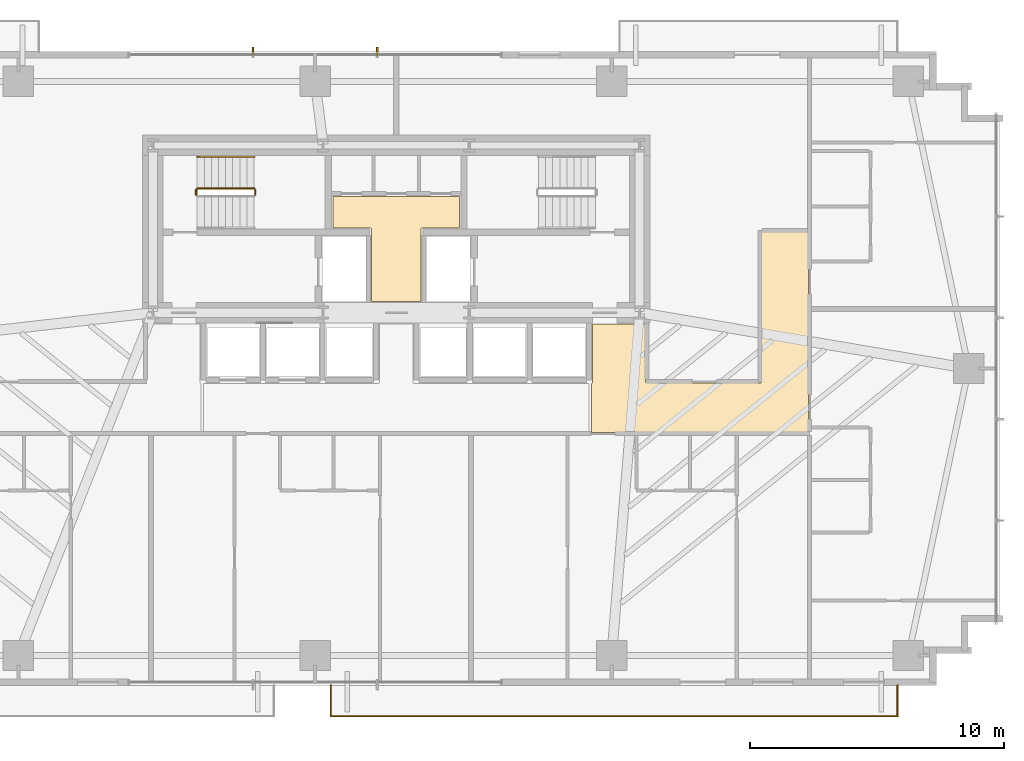
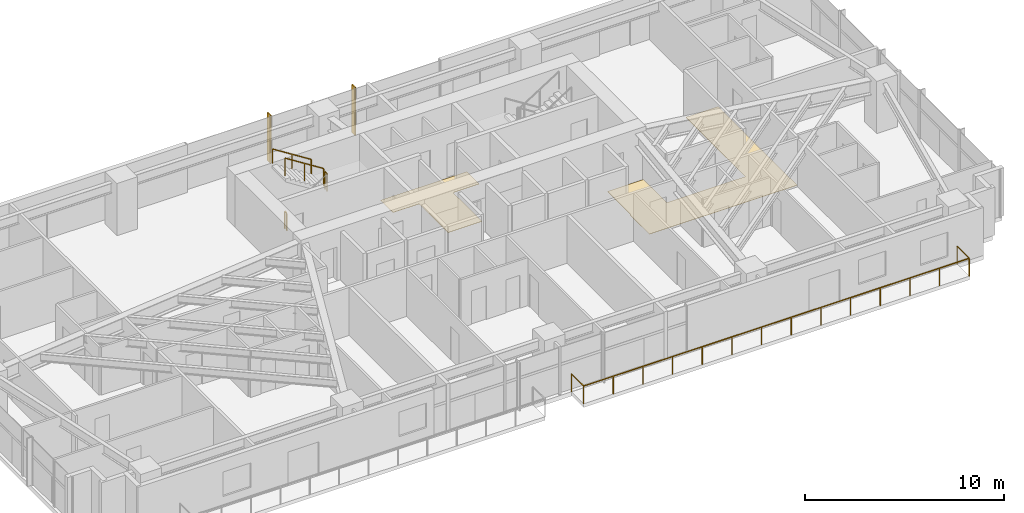
# One storey, part 24 of 25: 5 railings, 2 coverings, 2 shading devices.
"""IFC4 building model written with IfcOpenShell, lengths in metres."""

from ifc_helpers import new_model, si_unit, direction, frame, origin, origin_2d, place, context, subcontext, project, spatial, polyline, rectangle, outline, extrude, source, transform, mapped, material, layer, layer_set, type_object, type_shapes, element, save


model = new_model("IFC4")

# Units and contexts
model_context = context("Model", 3, precision=1e-05, world=origin(), true_north=direction((0.0, 1.0)))
body_context = subcontext(model_context, "Body", "Model", "MODEL_VIEW")
ifc_project = project(units=[si_unit("LENGTHUNIT", "METRE"), si_unit("AREAUNIT", "SQUARE_METRE"), si_unit("VOLUMEUNIT", "CUBIC_METRE"), si_unit("PLANEANGLEUNIT", "RADIAN"), si_unit("MASSUNIT", "GRAM", prefix="KILO")], contexts=[model_context])

# Site, building, storey
site_placement = place(None, origin())
site = spatial("IfcSite", under=ifc_project, at=site_placement, CompositionType="ELEMENT")
building_placement = place(site_placement, origin())
building = spatial("IfcBuilding", under=site, at=building_placement, Name="Astriad Promenade Condominiums", CompositionType="ELEMENT")
storey_placement = place(building_placement, frame((0.0, 0.0, 42.199951171875)))
storey = spatial("IfcBuildingStorey", under=building, at=storey_placement, Name="L11", CompositionType="ELEMENT", Elevation=42.199951171875)

# Coverings
ifc_material_1 = material(Name="Polished Lakefront Terrazzo Flooring")
ifc_layer = layer(ifc_material_1, 0.02001953125)
ifc_layer_set = layer_set([ifc_layer], Name="Polished Lakefront Terrazzo Flooring")
covering_type = type_object("IfcCoveringType", Name="COV-FLOR-TERRAZZO-20", PredefinedType="FLOORING", material=ifc_layer_set)
covering_1_placement = place(storey_placement, origin())
element("IfcCovering", 1, at=covering_1_placement, inside=storey, type_object=covering_type, Name="FLR-L11-CSL", PredefinedType="FLOORING", context=body_context, shape_type="SweptSolid", body=[
    extrude(outline(polyline([(36.97998046875, 20.699951171875), (36.97998046875, 17.840087890625), (35.02001953125, 17.840087890625), (35.02001953125, 20.699951171875), (35.019775390625, 20.703857421875), (35.019287109375, 20.707763671875), (35.018310546875, 20.711669921875), (35.01708984375, 20.71533203125), (35.015380859375, 20.718994140625), (35.01318359375, 20.72216796875), (35.010986328125, 20.725341796875), (35.00830078125, 20.728271484375), (35.00537109375, 20.73095703125), (35.002197265625, 20.7333984375), (34.998779296875, 20.7353515625), (34.995361328125, 20.737060546875), (34.99169921875, 20.73828125), (34.98779296875, 20.7392578125), (34.98388671875, 20.73974609375), (34.97998046875, 20.739990234375), (33.5, 20.739990234375), (33.5, 21.97998046875), (38.5, 21.97998046875), (38.5, 20.739990234375), (37.02001953125, 20.739990234375), (37.01611328125, 20.73974609375), (37.01220703125, 20.7392578125), (37.00830078125, 20.73828125), (37.004638671875, 20.737060546875), (37.001220703125, 20.7353515625), (36.997802734375, 20.7333984375), (36.99462890625, 20.73095703125), (36.99169921875, 20.728271484375), (36.989013671875, 20.725341796875), (36.98681640625, 20.72216796875), (36.984619140625, 20.718994140625), (36.98291015625, 20.71533203125), (36.981689453125, 20.711669921875), (36.980712890625, 20.707763671875), (36.980224609375, 20.703857421875), (36.97998046875, 20.699951171875)])), origin(), (0.0, 0.0, 1.0), 0.02001953125),
])
covering_2_placement = place(storey_placement, origin())
element("IfcCovering", 2, at=covering_2_placement, inside=storey, type_object=covering_type, Name="FLR-L11-COR-1", PredefinedType="FLOORING", context=body_context, shape_type="SweptSolid", body=[
    extrude(outline(polyline([(43.699951171875, 12.669921875), (43.699951171875, 14.610107421875), (43.703857421875, 14.610107421875), (43.707763671875, 14.61083984375), (43.711669921875, 14.61181640625), (43.71533203125, 14.613037109375), (43.718994140625, 14.61474609375), (43.72216796875, 14.61669921875), (43.725341796875, 14.619140625), (43.728271484375, 14.62158203125), (43.73095703125, 14.62451171875), (43.7333984375, 14.627685546875), (43.7353515625, 14.631103515625), (43.737060546875, 14.634765625), (43.73828125, 14.638427734375), (43.7392578125, 14.64208984375), (43.73974609375, 14.64599609375), (43.739990234375, 14.64990234375), (43.739990234375, 16.9599609375), (45.840087890625, 16.9599609375), (45.840087890625, 14.659912109375), (45.840087890625, 14.656005859375), (45.8408203125, 14.652099609375), (45.841796875, 14.6484375), (45.843017578125, 14.644775390625), (45.8447265625, 14.64111328125), (45.8466796875, 14.6376953125), (45.84912109375, 14.634521484375), (45.851806640625, 14.631591796875), (45.8544921875, 14.629150390625), (45.85791015625, 14.626708984375), (45.861083984375, 14.624755859375), (45.86474609375, 14.623046875), (45.868408203125, 14.62158203125), (45.872314453125, 14.620849609375), (45.876220703125, 14.6201171875), (45.8798828125, 14.6201171875), (50.35009765625, 14.6201171875), (50.35400390625, 14.6201171875), (50.35791015625, 14.620849609375), (50.361572265625, 14.62158203125), (50.365234375, 14.623046875), (50.368896484375, 14.624755859375), (50.372314453125, 14.626708984375), (50.37548828125, 14.629150390625), (50.37841796875, 14.631591796875), (50.380859375, 14.634521484375), (50.38330078125, 14.6376953125), (50.38525390625, 14.64111328125), (50.386962890625, 14.644775390625), (50.38818359375, 14.6484375), (50.38916015625, 14.652099609375), (50.389892578125, 14.656005859375), (50.389892578125, 14.659912109375), (50.389892578125, 20.610107421875), (52.260009765625, 20.610107421875), (52.260009765625, 12.669921875), (43.699951171875, 12.669921875)])), origin(), (0.0, 0.0, 1.0), 0.02001953125),
])

# Shading devices
ifc_material_2 = material(Name="Anodised aluminium 6063-T6 Black Fin", Category="aluminium")
shading_device_type = type_object("IfcShadingDeviceType", Name="FIN-BLACK-320", PredefinedType="USERDEFINED", material=ifc_material_2)
shared_shape_1 = source(origin(), body_context, "Body", "SweptSolid", [
    extrude(rectangle(XDim=0.06494140625, YDim=0.320068359375, at=origin_2d()), origin(), (0.0, 0.0, 1.0), 2.93994140625),
])
type_shapes(shading_device_type, [shared_shape_1])
for number, where, z_axis, x_axis, name in (
    (3, (30.35009765625, 27.7099609375, 0.0), (0.0, 0.0, 1.0), (1.0, 0.0, 0.0), "CW-L11-N-FIN-01"),
    (4, (35.25, 27.7099609375, 0.0), (0.0, 0.0, 1.0), (1.0, 0.0, 0.0), "CW-L11-N-FIN-02"),
):
    element("IfcShadingDevice", number, at=place(storey_placement, frame(where, z_axis=z_axis, x_axis=x_axis)), inside=storey, type_object=shading_device_type, Name=name, ObjectType="FIN", PredefinedType="USERDEFINED", context=body_context, shape_type="MappedRepresentation", body=[
        mapped(shared_shape_1, transform((0.0, 0.0, 0.0), scale=1.0)),
    ])

# Railings
ifc_material_3 = material(Name="Laminated Glass and Stainless Steel Balustrade", Category="steel")
railing_type_1 = type_object("IfcRailingType", Name="GRD-BALC-1120", PredefinedType="BALUSTRADE", material=ifc_material_3)
shared_shape_2 = source(origin(), body_context, "Body", "SweptSolid", [
    extrude(rectangle(XDim=0.048095703125, YDim=0.048095703125, at=origin_2d()), frame((0.0, 0.0, 1.09619140625), z_axis=(0.0, -1.0, 0.0), x_axis=(1.0, 0.0, 0.0)), (0.0, 0.0, 1.0), 1.219970703125),
    extrude(rectangle(XDim=0.048095703125, YDim=0.048095703125, at=origin_2d()), frame((0.0, -1.219970703125, 1.09619140625), z_axis=(1.0, 0.0, 0.0), x_axis=(0.0, 1.0, 0.0)), (0.0, 0.0, 1.0), 22.348876953125),
    extrude(rectangle(XDim=0.048095703125, YDim=0.048095703125, at=origin_2d()), frame((22.348876953125, -1.219970703125, 1.09619140625), z_axis=(0.0, 1.0, 0.0), x_axis=(-1.0, 0.0, 0.0)), (0.0, 0.0, 1.0), 1.219970703125),
    extrude(rectangle(XDim=0.0419921875, YDim=0.0419921875, at=origin_2d()), origin(), (0.0, 0.0, 1.0), 1.072021484375),
    extrude(rectangle(XDim=0.0419921875, YDim=0.0419921875, at=origin_2d()), frame((0.0, -1.219970703125, 0.0)), (0.0, 0.0, 1.0), 1.072021484375),
    extrude(rectangle(XDim=0.0419921875, YDim=0.0419921875, at=origin_2d()), frame((1.71923828125, -1.219970703125, 0.0)), (0.0, 0.0, 1.0), 1.072021484375),
    extrude(rectangle(XDim=0.0419921875, YDim=0.0419921875, at=origin_2d()), frame((3.438232421875, -1.219970703125, 0.0)), (0.0, 0.0, 1.0), 1.072021484375),
    extrude(rectangle(XDim=0.0419921875, YDim=0.0419921875, at=origin_2d()), frame((5.157470703125, -1.219970703125, 0.0)), (0.0, 0.0, 1.0), 1.072021484375),
    extrude(rectangle(XDim=0.0419921875, YDim=0.0419921875, at=origin_2d()), frame((6.87646484375, -1.219970703125, 0.0)), (0.0, 0.0, 1.0), 1.072021484375),
    extrude(rectangle(XDim=0.0419921875, YDim=0.0419921875, at=origin_2d()), frame((8.595703125, -1.219970703125, 0.0)), (0.0, 0.0, 1.0), 1.072021484375),
    extrude(rectangle(XDim=0.0419921875, YDim=0.0419921875, at=origin_2d()), frame((10.31494140625, -1.219970703125, 0.0)), (0.0, 0.0, 1.0), 1.072021484375),
    extrude(rectangle(XDim=0.0419921875, YDim=0.0419921875, at=origin_2d()), frame((12.033935546875, -1.219970703125, 0.0)), (0.0, 0.0, 1.0), 1.072021484375),
    extrude(rectangle(XDim=0.0419921875, YDim=0.0419921875, at=origin_2d()), frame((13.753173828125, -1.219970703125, 0.0)), (0.0, 0.0, 1.0), 1.072021484375),
    extrude(rectangle(XDim=0.0419921875, YDim=0.0419921875, at=origin_2d()), frame((15.472412109375, -1.219970703125, 0.0)), (0.0, 0.0, 1.0), 1.072021484375),
    extrude(rectangle(XDim=0.0419921875, YDim=0.0419921875, at=origin_2d()), frame((17.19140625, -1.219970703125, 0.0)), (0.0, 0.0, 1.0), 1.072021484375),
    extrude(rectangle(XDim=0.0419921875, YDim=0.0419921875, at=origin_2d()), frame((18.91064453125, -1.219970703125, 0.0)), (0.0, 0.0, 1.0), 1.072021484375),
    extrude(rectangle(XDim=0.0419921875, YDim=0.0419921875, at=origin_2d()), frame((20.629638671875, -1.219970703125, 0.0)), (0.0, 0.0, 1.0), 1.072021484375),
    extrude(rectangle(XDim=0.0419921875, YDim=0.0419921875, at=origin_2d()), frame((22.348876953125, -1.219970703125, 0.0)), (0.0, 0.0, 1.0), 1.072021484375),
    extrude(rectangle(XDim=0.0419921875, YDim=0.0419921875, at=origin_2d()), frame((22.348876953125, 0.0, 0.0)), (0.0, 0.0, 1.0), 1.072021484375),
])
type_shapes(railing_type_1, [shared_shape_2])
railing_1_placement = place(storey_placement, frame((33.423095703125, 2.699951171875, 0.0)))
element("IfcRailing", 5, at=railing_1_placement, inside=storey, type_object=railing_type_1, Name="GRD-BALC-L11-SE", PredefinedType="BALUSTRADE", context=body_context, shape_type="MappedRepresentation", body=[
    mapped(shared_shape_2, transform((0.0, 0.0, 0.0), scale=1.0)),
])
ifc_material_4 = material(Name="Painted Galvanised Steel Guardrail", Category="steel")
railing_type_2 = type_object("IfcRailingType", Name="GRD-STAIR-1100", PredefinedType="GUARDRAIL", material=ifc_material_4)
shared_shape_3 = source(origin(), body_context, "Body", "SweptSolid", [
    extrude(rectangle(XDim=0.048095703125, YDim=0.048095703125, at=origin_2d()), frame((0.0, 0.0, 1.076171875), z_axis=(0.0, 1.0, 0.0), x_axis=(-1.0, 0.0, 0.0)), (0.0, 0.0, 1.0), 0.199951171875),
    extrude(rectangle(XDim=0.0419921875, YDim=0.0419921875, at=origin_2d()), origin(), (0.0, 0.0, 1.0), 1.052001953125),
    extrude(rectangle(XDim=0.0419921875, YDim=0.0419921875, at=origin_2d()), frame((0.0, 0.199951171875, 0.0)), (0.0, 0.0, 1.0), 1.052001953125),
])
for number, where, name in (
    (6, (30.43994140625, 22.050048828125, 1.60009765625), "L11 ST-1 stair guard 2"),
    (7, (28.10009765625, 22.050048828125, 0.0), "L11 ST-1 stair guard 4"),
):
    element("IfcRailing", number, at=place(storey_placement, frame(where)), inside=storey, type_object=railing_type_2, Name=name, PredefinedType="GUARDRAIL", context=body_context, shape_type="MappedRepresentation", body=[
        mapped(shared_shape_3, transform((0.0, 0.0, 0.0), scale=1.0)),
    ])
shared_shape_4 = source(origin(), body_context, "Body", "SweptSolid", [
    extrude(rectangle(XDim=0.048095703125, YDim=0.048095703125, at=origin_2d()), frame((0.0, 0.0, 1.076171875), z_axis=(-0.8442293374, 0.0, 0.53598211339), x_axis=(0.0, -1.0, 0.0)), (0.0, 0.0, 1.0), 2.6533203125),
    extrude(rectangle(XDim=0.0419921875, YDim=0.0419921875, at=origin_2d()), origin(), (0.0, 0.0, 1.0), 1.052001953125),
    extrude(rectangle(XDim=0.0419921875, YDim=0.0419921875, at=origin_2d()), frame((-1.1201171875, 0.0, 0.7109375)), (0.0, 0.0, 1.0), 1.052001953125),
    extrude(rectangle(XDim=0.0419921875, YDim=0.0419921875, at=origin_2d()), frame((-2.239990234375, 0.0, 1.422119140625)), (0.0, 0.0, 1.0), 1.052001953125),
])
type_shapes(railing_type_2, [shared_shape_3, shared_shape_4])
railing_2_placement = place(storey_placement, frame((30.389892578125, 22.300048828125, 1.77783203125)))
element("IfcRailing", 8, at=railing_2_placement, inside=storey, type_object=railing_type_2, Name="L11 ST-1 stair guard 3", PredefinedType="GUARDRAIL", context=body_context, shape_type="MappedRepresentation", body=[
    mapped(shared_shape_4, transform((0.0, 0.0, 0.0), scale=1.0)),
])
ifc_material_5 = material(Name="Brushed Stainless Steel Handrail", Category="steel")
railing_type_3 = type_object("IfcRailingType", Name="HRL-STAIR-920", PredefinedType="HANDRAIL", material=ifc_material_5)
shared_shape_5 = source(origin(), body_context, "Body", "SweptSolid", [
    extrude(rectangle(XDim=0.048095703125, YDim=0.048095703125, at=origin_2d()), frame((0.0, 0.0, 0.8759765625), z_axis=(-0.8442293374, 0.0, 0.53598211339), x_axis=(0.0, -1.0, 0.0)), (0.0, 0.0, 1.0), 2.6533203125),
    extrude(rectangle(XDim=0.0419921875, YDim=0.0419921875, at=origin_2d()), origin(), (0.0, 0.0, 1.0), 0.851806640625),
    extrude(rectangle(XDim=0.0419921875, YDim=0.0419921875, at=origin_2d()), frame((-1.1201171875, 0.0, 0.7109375)), (0.0, 0.0, 1.0), 0.851806640625),
    extrude(rectangle(XDim=0.0419921875, YDim=0.0419921875, at=origin_2d()), frame((-2.239990234375, 0.0, 1.422119140625)), (0.0, 0.0, 1.0), 0.851806640625),
])
type_shapes(railing_type_3, [shared_shape_5])
railing_3_placement = place(storey_placement, frame((30.389892578125, 23.550048828125, 1.77783203125)))
element("IfcRailing", 9, at=railing_3_placement, inside=storey, type_object=railing_type_3, Name="L11 ST-1 stair handrail 2", PredefinedType="HANDRAIL", context=body_context, shape_type="MappedRepresentation", body=[
    mapped(shared_shape_5, transform((0.0, 0.0, 0.0), scale=1.0)),
])

save(model, "model.ifc")
